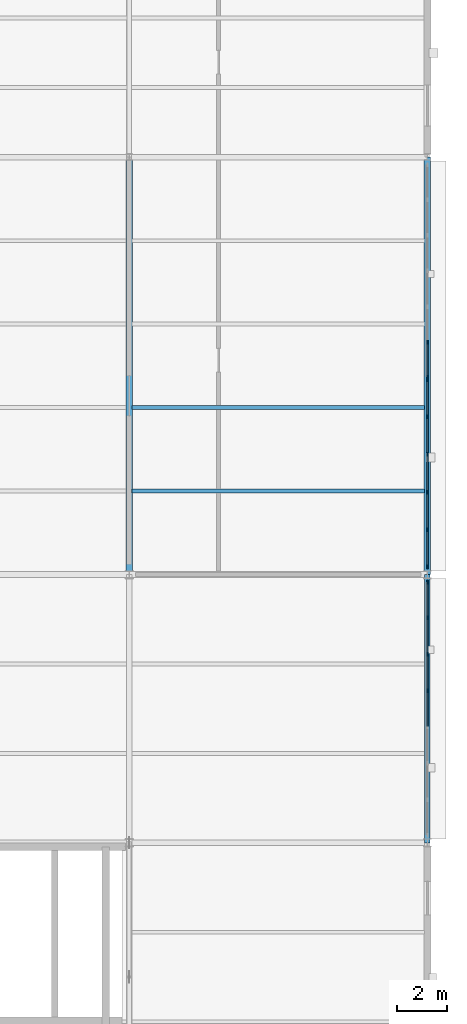
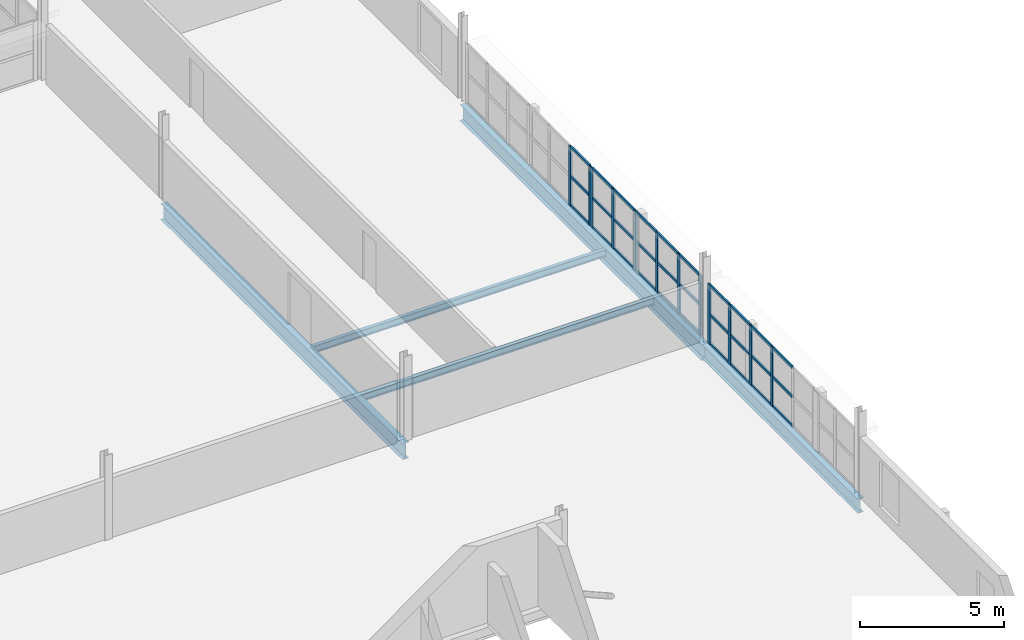
# One storey, part 40 of 79: 42 members, 5 beams, 3 elements without a shape of their own.
"""IFC4 building model written with IfcOpenShell, lengths in metres."""

from ifc_helpers import new_model, si_unit, direction, frame, origin, origin_2d, place, context, subcontext, project, spatial, rectangle, i_section, extrude, material, layer, layer_set, material_profile, profile_set, type_object, element, aggregate, save


model = new_model("IFC4")

# Units and contexts
model_context = context("Model", 3, precision=1e-05, world=origin(), true_north=direction((0.0, 1.0)))
body_context = subcontext(model_context, "Body", "Model", "MODEL_VIEW")
ifc_project = project(units=[si_unit("LENGTHUNIT", "METRE"), si_unit("AREAUNIT", "SQUARE_METRE"), si_unit("VOLUMEUNIT", "CUBIC_METRE"), si_unit("PLANEANGLEUNIT", "RADIAN"), si_unit("MASSUNIT", "GRAM", prefix="KILO"), si_unit("THERMODYNAMICTEMPERATUREUNIT", "KELVIN"), si_unit("POWERUNIT", "WATT")], contexts=[model_context])

# Site, building, storey
site_placement = place(None, origin())
site = spatial("IfcSite", under=ifc_project, at=site_placement, CompositionType="ELEMENT")
building_placement = place(site_placement, origin())
building = spatial("IfcBuilding", under=site, at=building_placement, Name="Tembeka Court Mobility Hub", CompositionType="ELEMENT")
storey_placement = place(building_placement, frame((0.0, 0.0, 9.0)))
storey = spatial("IfcBuildingStorey", under=building, at=storey_placement, Name="L02", CompositionType="ELEMENT", Elevation=9.0)

# Beams
ifc_material_1 = material(Name="Steel S355", Category="steel")
ifc_material_profile_1 = material_profile(ifc_material_1, i_section(OverallWidth=0.25390625, OverallDepth=0.68408203125, WebThickness=0.012451171875, FlangeThickness=0.01904296875, FilletRadius=0.01513671875, at=origin_2d()), Name="UKB 686x254x140")
ifc_profile_set_1 = profile_set([ifc_material_profile_1], Name="Steel S355")
beam_type_1 = type_object("IfcBeamType", Name="BM-G01", PredefinedType="USERDEFINED", material=ifc_profile_set_1)
for number, where, z_axis, x_axis, name in (
    (1, (164.39990234375, 21.60009765625, -0.531982421875), (0.0, 1.0, 0.0), (-1.0, 0.0, 0.0), "Beam G01 (BM-L02-Y1429)"),
    (2, (176.39990234375, 21.60009765625, -0.531982421875), (0.0, 1.0, 0.0), (-1.0, 0.0, 0.0), "Beam G01 (BM-L02-Y1435)"),
):
    element("IfcBeam", number, at=place(storey_placement, frame(where, z_axis=z_axis, x_axis=x_axis)), inside=storey, type_object=beam_type_1, Name=name, ObjectType="GIRDER", PredefinedType="USERDEFINED", context=body_context, shape_type="SweptSolid", body=[
        extrude(i_section(OverallWidth=0.25390625, OverallDepth=0.68408203125, WebThickness=0.012451171875, FlangeThickness=0.01904296875, FilletRadius=0.01513671875, at=origin_2d()), origin(), (0.0, 0.0, 1.0), 16.7998046875),
    ])
ifc_material_profile_2 = material_profile(ifc_material_1, i_section(OverallWidth=0.22900390625, OverallDepth=0.612060546875, WebThickness=0.011962890625, FlangeThickness=0.01953125, FilletRadius=0.0126953125, at=origin_2d()), Name="UKB 610x229x125")
ifc_profile_set_2 = profile_set([ifc_material_profile_2], Name="Steel S355")
beam_type_2 = type_object("IfcBeamType", Name="BM-G02", PredefinedType="USERDEFINED", material=ifc_profile_set_2)
beam_placement = place(storey_placement, frame((176.39990234375, 10.800048828125, -0.49609375), z_axis=(0.0, 1.0, 0.0), x_axis=(-1.0, 0.0, 0.0)))
element("IfcBeam", 3, at=beam_placement, inside=storey, type_object=beam_type_2, Name="Beam G02 (BM-L02-Y1434)", ObjectType="GIRDER", PredefinedType="USERDEFINED", context=body_context, shape_type="SweptSolid", body=[
    extrude(i_section(OverallWidth=0.22900390625, OverallDepth=0.612060546875, WebThickness=0.011962890625, FlangeThickness=0.01953125, FilletRadius=0.0126953125, at=origin_2d()), origin(), (0.0, 0.0, 1.0), 10.800048828125),
])
ifc_material_profile_3 = material_profile(ifc_material_1, i_section(OverallWidth=0.14990234375, OverallDepth=0.300048828125, WebThickness=0.007080078125, FlangeThickness=0.0107421875, FilletRadius=0.014892578125, at=origin_2d()), Name="IPE 300")
ifc_profile_set_3 = profile_set([ifc_material_profile_3], Name="Steel S355")
beam_type_3 = type_object("IfcBeamType", Name="BM-J04", PredefinedType="JOIST", material=ifc_profile_set_3)
for number, where, z_axis, x_axis, name in (
    (4, (164.52197265625, 24.9599609375, -0.340087890625), (1.0, 0.0, 0.0), (0.0, 1.0, 0.0), "Beam J04 (JST-L02-1672)"),
    (5, (164.52197265625, 28.320068359375, -0.340087890625), (1.0, 0.0, 0.0), (0.0, 1.0, 0.0), "Beam J04 (JST-L02-1673)"),
):
    element("IfcBeam", number, at=place(storey_placement, frame(where, z_axis=z_axis, x_axis=x_axis)), inside=storey, type_object=beam_type_3, Name=name, PredefinedType="JOIST", context=body_context, shape_type="SweptSolid", body=[
        extrude(i_section(OverallWidth=0.14990234375, OverallDepth=0.300048828125, WebThickness=0.007080078125, FlangeThickness=0.0107421875, FilletRadius=0.014892578125, at=origin_2d()), origin(), (0.0, 0.0, 1.0), 11.756103515625),
    ])

# Curtain wall, members
ifc_material_2 = material(Name="Anodised aluminium 6063-T6", Category="aluminium")
ifc_layer_1 = layer(ifc_material_2, 0.159912109375)
ifc_layer_set_1 = layer_set([ifc_layer_1], Name="Anodised aluminium 6063-T6")
curtain_wall_type_1 = type_object("IfcCurtainWallType", Name="CW-SYS42", PredefinedType="USERDEFINED", material=ifc_layer_set_1)
curtain_wall_1_placement = place(storey_placement, origin())
curtain_wall_1 = element("IfcCurtainWall", 6, at=curtain_wall_1_placement, inside=storey, type_object=curtain_wall_type_1, Name="Unitised curtain wall CW42 (CW-L02-123)", ObjectType="UNITISED GLAZING", PredefinedType="USERDEFINED")
ifc_material_profile_4 = material_profile(ifc_material_2, rectangle(XDim=0.06494140625, YDim=0.159912109375, at=origin_2d()), Name="ALU-MUL 65x160")
ifc_profile_set_4 = profile_set([ifc_material_profile_4], Name="Anodised aluminium 6063-T6")
member_type_1 = type_object("IfcMemberType", Name="CW-MUL01", PredefinedType="MULLION", material=ifc_profile_set_4)
member_1_placement = place(storey_placement, frame((176.39990234375, 16.931396484375, 0.0), z_axis=(0.0, 0.0, 1.0), x_axis=(-1.0, 0.0, 0.0)))
member_1 = element("IfcMember", 7, at=member_1_placement, type_object=member_type_1, Name="CW42 mullion 5", PredefinedType="MULLION", context=body_context, shape_type="SweptSolid", body=[
    extrude(rectangle(XDim=0.06494140625, YDim=0.159912109375, at=origin_2d()), origin(), (0.0, 0.0, 1.0), 2.534912109375),
])
member_2_placement = place(storey_placement, frame((176.39990234375, 18.394287109375, 0.0), z_axis=(0.0, 0.0, 1.0), x_axis=(-1.0, 0.0, 0.0)))
member_2 = element("IfcMember", 8, at=member_2_placement, type_object=member_type_1, Name="CW42 mullion 6", PredefinedType="MULLION", context=body_context, shape_type="SweptSolid", body=[
    extrude(rectangle(XDim=0.06494140625, YDim=0.159912109375, at=origin_2d()), origin(), (0.0, 0.0, 1.0), 2.534912109375),
])
member_3_placement = place(storey_placement, frame((176.39990234375, 19.857177734375, 0.0), z_axis=(0.0, 0.0, 1.0), x_axis=(-1.0, 0.0, 0.0)))
member_3 = element("IfcMember", 9, at=member_3_placement, type_object=member_type_1, Name="CW42 mullion 7", PredefinedType="MULLION", context=body_context, shape_type="SweptSolid", body=[
    extrude(rectangle(XDim=0.06494140625, YDim=0.159912109375, at=origin_2d()), origin(), (0.0, 0.0, 1.0), 2.534912109375),
])
member_4_placement = place(storey_placement, frame((176.39990234375, 21.28759765625, 0.0), z_axis=(0.0, 0.0, 1.0), x_axis=(-1.0, 0.0, 0.0)))
member_4 = element("IfcMember", 10, at=member_4_placement, type_object=member_type_1, Name="CW42 mullion 8", PredefinedType="MULLION", context=body_context, shape_type="SweptSolid", body=[
    extrude(rectangle(XDim=0.06494140625, YDim=0.159912109375, at=origin_2d()), origin(), (0.0, 0.0, 1.0), 2.534912109375),
])

ifc_layer_2 = layer(ifc_material_2, 0.159912109375)
ifc_layer_set_2 = layer_set([ifc_layer_2], Name="Anodised aluminium 6063-T6")
curtain_wall_type_2 = type_object("IfcCurtainWallType", Name="CW-SYS51", PredefinedType="USERDEFINED", material=ifc_layer_set_2)
curtain_wall_2_placement = place(storey_placement, origin())
curtain_wall_2 = element("IfcCurtainWall", 11, at=curtain_wall_2_placement, inside=storey, type_object=curtain_wall_type_2, Name="Unitised curtain wall CW51 (CW-L02-124)", ObjectType="UNITISED GLAZING", PredefinedType="USERDEFINED")
member_5_placement = place(storey_placement, frame((176.39990234375, 21.91259765625, 0.0), z_axis=(0.0, 0.0, 1.0), x_axis=(-1.0, 0.0, 0.0)))
member_5 = element("IfcMember", 12, at=member_5_placement, type_object=member_type_1, Name="CW51 mullion 1", PredefinedType="MULLION", context=body_context, shape_type="SweptSolid", body=[
    extrude(rectangle(XDim=0.06494140625, YDim=0.159912109375, at=origin_2d()), origin(), (0.0, 0.0, 1.0), 2.534912109375),
])
member_6_placement = place(storey_placement, frame((176.39990234375, 23.399169921875, 0.0), z_axis=(0.0, 0.0, 1.0), x_axis=(-1.0, 0.0, 0.0)))
member_6 = element("IfcMember", 13, at=member_6_placement, type_object=member_type_1, Name="CW51 mullion 2", PredefinedType="MULLION", context=body_context, shape_type="SweptSolid", body=[
    extrude(rectangle(XDim=0.06494140625, YDim=0.159912109375, at=origin_2d()), origin(), (0.0, 0.0, 1.0), 2.534912109375),
])
member_7_placement = place(storey_placement, frame((176.39990234375, 24.91845703125, 0.0), z_axis=(0.0, 0.0, 1.0), x_axis=(-1.0, 0.0, 0.0)))
member_7 = element("IfcMember", 14, at=member_7_placement, type_object=member_type_1, Name="CW51 mullion 3", PredefinedType="MULLION", context=body_context, shape_type="SweptSolid", body=[
    extrude(rectangle(XDim=0.06494140625, YDim=0.159912109375, at=origin_2d()), origin(), (0.0, 0.0, 1.0), 2.534912109375),
])
member_8_placement = place(storey_placement, frame((176.39990234375, 26.4375, 0.0), z_axis=(0.0, 0.0, 1.0), x_axis=(-1.0, 0.0, 0.0)))
member_8 = element("IfcMember", 15, at=member_8_placement, type_object=member_type_1, Name="CW51 mullion 4", PredefinedType="MULLION", context=body_context, shape_type="SweptSolid", body=[
    extrude(rectangle(XDim=0.06494140625, YDim=0.159912109375, at=origin_2d()), origin(), (0.0, 0.0, 1.0), 2.534912109375),
])
member_9_placement = place(storey_placement, frame((176.39990234375, 27.956787109375, 0.0), z_axis=(0.0, 0.0, 1.0), x_axis=(-1.0, 0.0, 0.0)))
member_9 = element("IfcMember", 16, at=member_9_placement, type_object=member_type_1, Name="CW51 mullion 5", PredefinedType="MULLION", context=body_context, shape_type="SweptSolid", body=[
    extrude(rectangle(XDim=0.06494140625, YDim=0.159912109375, at=origin_2d()), origin(), (0.0, 0.0, 1.0), 2.534912109375),
])
member_10_placement = place(storey_placement, frame((176.39990234375, 29.443603515625, 0.0), z_axis=(0.0, 0.0, 1.0), x_axis=(-1.0, 0.0, 0.0)))
member_10 = element("IfcMember", 17, at=member_10_placement, type_object=member_type_1, Name="CW51 mullion 6", PredefinedType="MULLION", context=body_context, shape_type="SweptSolid", body=[
    extrude(rectangle(XDim=0.06494140625, YDim=0.159912109375, at=origin_2d()), origin(), (0.0, 0.0, 1.0), 2.534912109375),
])

ifc_layer_3 = layer(ifc_material_2, 0.159912109375)
ifc_layer_set_3 = layer_set([ifc_layer_3], Name="Anodised aluminium 6063-T6")
curtain_wall_type_3 = type_object("IfcCurtainWallType", Name="CW-SYS52", PredefinedType="USERDEFINED", material=ifc_layer_set_3)
curtain_wall_3_placement = place(storey_placement, origin())
curtain_wall_3 = element("IfcCurtainWall", 18, at=curtain_wall_3_placement, inside=storey, type_object=curtain_wall_type_3, Name="Unitised curtain wall CW52 (CW-L02-125)", ObjectType="UNITISED GLAZING", PredefinedType="USERDEFINED")
member_11_placement = place(storey_placement, frame((176.39990234375, 29.548583984375, 0.0), z_axis=(0.0, 0.0, 1.0), x_axis=(-1.0, 0.0, 0.0)))
member_11 = element("IfcMember", 19, at=member_11_placement, type_object=member_type_1, Name="CW52 mullion 1", PredefinedType="MULLION", context=body_context, shape_type="SweptSolid", body=[
    extrude(rectangle(XDim=0.06494140625, YDim=0.159912109375, at=origin_2d()), origin(), (0.0, 0.0, 1.0), 2.534912109375),
])
member_12_placement = place(storey_placement, frame((176.39990234375, 30.949951171875, 0.0), z_axis=(0.0, 0.0, 1.0), x_axis=(-1.0, 0.0, 0.0)))
member_12 = element("IfcMember", 20, at=member_12_placement, type_object=member_type_1, Name="CW52 mullion 2", PredefinedType="MULLION", context=body_context, shape_type="SweptSolid", body=[
    extrude(rectangle(XDim=0.06494140625, YDim=0.159912109375, at=origin_2d()), origin(), (0.0, 0.0, 1.0), 2.534912109375),
])

# Member
ifc_material_profile_5 = material_profile(ifc_material_2, rectangle(XDim=0.06494140625, YDim=0.1201171875, at=origin_2d()), Name="ALU-TRN 65x120")
ifc_profile_set_5 = profile_set([ifc_material_profile_5], Name="Anodised aluminium 6063-T6")
member_type_2 = type_object("IfcMemberType", Name="CW-TRN01", PredefinedType="USERDEFINED", material=ifc_profile_set_5)
member_13_placement = place(storey_placement, frame((176.39990234375, 15.5009765625, 0.032470703125), z_axis=(0.0, 1.0, 0.0), x_axis=(-1.0, 0.0, 0.0)))
member_13 = element("IfcMember", 21, at=member_13_placement, type_object=member_type_2, Name="CW42 transom 4.1", ObjectType="TRANSOM", PredefinedType="USERDEFINED", context=body_context, shape_type="SweptSolid", body=[
    extrude(rectangle(XDim=0.06494140625, YDim=0.1201171875, at=origin_2d()), origin(), (0.0, 0.0, 1.0), 1.39794921875),
])

member_14_placement = place(storey_placement, frame((176.39990234375, 15.5009765625, 1.267578125), z_axis=(0.0, 1.0, 0.0), x_axis=(-1.0, 0.0, 0.0)))
member_14 = element("IfcMember", 22, at=member_14_placement, type_object=member_type_2, Name="CW42 transom 4.2", ObjectType="TRANSOM", PredefinedType="USERDEFINED", context=body_context, shape_type="SweptSolid", body=[
    extrude(rectangle(XDim=0.06494140625, YDim=0.1201171875, at=origin_2d()), origin(), (0.0, 0.0, 1.0), 1.39794921875),
])

member_15_placement = place(storey_placement, frame((176.39990234375, 15.5009765625, 2.50244140625), z_axis=(0.0, 1.0, 0.0), x_axis=(-1.0, 0.0, 0.0)))
member_15 = element("IfcMember", 23, at=member_15_placement, type_object=member_type_2, Name="CW42 transom 4.3", ObjectType="TRANSOM", PredefinedType="USERDEFINED", context=body_context, shape_type="SweptSolid", body=[
    extrude(rectangle(XDim=0.06494140625, YDim=0.1201171875, at=origin_2d()), origin(), (0.0, 0.0, 1.0), 1.39794921875),
])

member_16_placement = place(storey_placement, frame((176.39990234375, 16.9638671875, 0.032470703125), z_axis=(0.0, 1.0, 0.0), x_axis=(-1.0, 0.0, 0.0)))
member_16 = element("IfcMember", 24, at=member_16_placement, type_object=member_type_2, Name="CW42 transom 5.1", ObjectType="TRANSOM", PredefinedType="USERDEFINED", context=body_context, shape_type="SweptSolid", body=[
    extrude(rectangle(XDim=0.06494140625, YDim=0.1201171875, at=origin_2d()), origin(), (0.0, 0.0, 1.0), 1.39794921875),
])

member_17_placement = place(storey_placement, frame((176.39990234375, 16.9638671875, 1.267578125), z_axis=(0.0, 1.0, 0.0), x_axis=(-1.0, 0.0, 0.0)))
member_17 = element("IfcMember", 25, at=member_17_placement, type_object=member_type_2, Name="CW42 transom 5.2", ObjectType="TRANSOM", PredefinedType="USERDEFINED", context=body_context, shape_type="SweptSolid", body=[
    extrude(rectangle(XDim=0.06494140625, YDim=0.1201171875, at=origin_2d()), origin(), (0.0, 0.0, 1.0), 1.39794921875),
])

member_18_placement = place(storey_placement, frame((176.39990234375, 16.9638671875, 2.50244140625), z_axis=(0.0, 1.0, 0.0), x_axis=(-1.0, 0.0, 0.0)))
member_18 = element("IfcMember", 26, at=member_18_placement, type_object=member_type_2, Name="CW42 transom 5.3", ObjectType="TRANSOM", PredefinedType="USERDEFINED", context=body_context, shape_type="SweptSolid", body=[
    extrude(rectangle(XDim=0.06494140625, YDim=0.1201171875, at=origin_2d()), origin(), (0.0, 0.0, 1.0), 1.39794921875),
])

member_19_placement = place(storey_placement, frame((176.39990234375, 18.4267578125, 0.032470703125), z_axis=(0.0, 1.0, 0.0), x_axis=(-1.0, 0.0, 0.0)))
member_19 = element("IfcMember", 27, at=member_19_placement, type_object=member_type_2, Name="CW42 transom 6.1", ObjectType="TRANSOM", PredefinedType="USERDEFINED", context=body_context, shape_type="SweptSolid", body=[
    extrude(rectangle(XDim=0.06494140625, YDim=0.1201171875, at=origin_2d()), origin(), (0.0, 0.0, 1.0), 1.39794921875),
])

member_20_placement = place(storey_placement, frame((176.39990234375, 18.4267578125, 1.267578125), z_axis=(0.0, 1.0, 0.0), x_axis=(-1.0, 0.0, 0.0)))
member_20 = element("IfcMember", 28, at=member_20_placement, type_object=member_type_2, Name="CW42 transom 6.2", ObjectType="TRANSOM", PredefinedType="USERDEFINED", context=body_context, shape_type="SweptSolid", body=[
    extrude(rectangle(XDim=0.06494140625, YDim=0.1201171875, at=origin_2d()), origin(), (0.0, 0.0, 1.0), 1.39794921875),
])

member_21_placement = place(storey_placement, frame((176.39990234375, 18.4267578125, 2.50244140625), z_axis=(0.0, 1.0, 0.0), x_axis=(-1.0, 0.0, 0.0)))
member_21 = element("IfcMember", 29, at=member_21_placement, type_object=member_type_2, Name="CW42 transom 6.3", ObjectType="TRANSOM", PredefinedType="USERDEFINED", context=body_context, shape_type="SweptSolid", body=[
    extrude(rectangle(XDim=0.06494140625, YDim=0.1201171875, at=origin_2d()), origin(), (0.0, 0.0, 1.0), 1.39794921875),
])

member_22_placement = place(storey_placement, frame((176.39990234375, 19.8896484375, 0.032470703125), z_axis=(0.0, 1.0, 0.0), x_axis=(-1.0, 0.0, 0.0)))
member_22 = element("IfcMember", 30, at=member_22_placement, type_object=member_type_2, Name="CW42 transom 7.1", ObjectType="TRANSOM", PredefinedType="USERDEFINED", context=body_context, shape_type="SweptSolid", body=[
    extrude(rectangle(XDim=0.06494140625, YDim=0.1201171875, at=origin_2d()), origin(), (0.0, 0.0, 1.0), 1.365234375),
])

member_23_placement = place(storey_placement, frame((176.39990234375, 19.8896484375, 1.267578125), z_axis=(0.0, 1.0, 0.0), x_axis=(-1.0, 0.0, 0.0)))
member_23 = element("IfcMember", 31, at=member_23_placement, type_object=member_type_2, Name="CW42 transom 7.2", ObjectType="TRANSOM", PredefinedType="USERDEFINED", context=body_context, shape_type="SweptSolid", body=[
    extrude(rectangle(XDim=0.06494140625, YDim=0.1201171875, at=origin_2d()), origin(), (0.0, 0.0, 1.0), 1.365234375),
])

member_24_placement = place(storey_placement, frame((176.39990234375, 19.8896484375, 2.50244140625), z_axis=(0.0, 1.0, 0.0), x_axis=(-1.0, 0.0, 0.0)))
member_24 = element("IfcMember", 32, at=member_24_placement, type_object=member_type_2, Name="CW42 transom 7.3", ObjectType="TRANSOM", PredefinedType="USERDEFINED", context=body_context, shape_type="SweptSolid", body=[
    extrude(rectangle(XDim=0.06494140625, YDim=0.1201171875, at=origin_2d()), origin(), (0.0, 0.0, 1.0), 1.365234375),
])

aggregate(curtain_wall_1, [member_1, member_2, member_3, member_4, member_13, member_14, member_15, member_16, member_17, member_18, member_19, member_20, member_21, member_22, member_23, member_24])

member_25_placement = place(storey_placement, frame((176.39990234375, 21.945068359375, 0.032470703125), z_axis=(0.0, 1.0, 0.0), x_axis=(-1.0, 0.0, 0.0)))
member_25 = element("IfcMember", 33, at=member_25_placement, type_object=member_type_2, Name="CW51 transom 1.1", ObjectType="TRANSOM", PredefinedType="USERDEFINED", context=body_context, shape_type="SweptSolid", body=[
    extrude(rectangle(XDim=0.06494140625, YDim=0.1201171875, at=origin_2d()), origin(), (0.0, 0.0, 1.0), 1.421630859375),
])

member_26_placement = place(storey_placement, frame((176.39990234375, 21.945068359375, 1.267578125), z_axis=(0.0, 1.0, 0.0), x_axis=(-1.0, 0.0, 0.0)))
member_26 = element("IfcMember", 34, at=member_26_placement, type_object=member_type_2, Name="CW51 transom 1.2", ObjectType="TRANSOM", PredefinedType="USERDEFINED", context=body_context, shape_type="SweptSolid", body=[
    extrude(rectangle(XDim=0.06494140625, YDim=0.1201171875, at=origin_2d()), origin(), (0.0, 0.0, 1.0), 1.421630859375),
])

member_27_placement = place(storey_placement, frame((176.39990234375, 21.945068359375, 2.50244140625), z_axis=(0.0, 1.0, 0.0), x_axis=(-1.0, 0.0, 0.0)))
member_27 = element("IfcMember", 35, at=member_27_placement, type_object=member_type_2, Name="CW51 transom 1.3", ObjectType="TRANSOM", PredefinedType="USERDEFINED", context=body_context, shape_type="SweptSolid", body=[
    extrude(rectangle(XDim=0.06494140625, YDim=0.1201171875, at=origin_2d()), origin(), (0.0, 0.0, 1.0), 1.421630859375),
])

member_28_placement = place(storey_placement, frame((176.39990234375, 23.431640625, 0.032470703125), z_axis=(0.0, 1.0, 0.0), x_axis=(-1.0, 0.0, 0.0)))
member_28 = element("IfcMember", 36, at=member_28_placement, type_object=member_type_2, Name="CW51 transom 2.1", ObjectType="TRANSOM", PredefinedType="USERDEFINED", context=body_context, shape_type="SweptSolid", body=[
    extrude(rectangle(XDim=0.06494140625, YDim=0.1201171875, at=origin_2d()), origin(), (0.0, 0.0, 1.0), 1.454345703125),
])

member_29_placement = place(storey_placement, frame((176.39990234375, 23.431640625, 1.267578125), z_axis=(0.0, 1.0, 0.0), x_axis=(-1.0, 0.0, 0.0)))
member_29 = element("IfcMember", 37, at=member_29_placement, type_object=member_type_2, Name="CW51 transom 2.2", ObjectType="TRANSOM", PredefinedType="USERDEFINED", context=body_context, shape_type="SweptSolid", body=[
    extrude(rectangle(XDim=0.06494140625, YDim=0.1201171875, at=origin_2d()), origin(), (0.0, 0.0, 1.0), 1.454345703125),
])

member_30_placement = place(storey_placement, frame((176.39990234375, 23.431640625, 2.50244140625), z_axis=(0.0, 1.0, 0.0), x_axis=(-1.0, 0.0, 0.0)))
member_30 = element("IfcMember", 38, at=member_30_placement, type_object=member_type_2, Name="CW51 transom 2.3", ObjectType="TRANSOM", PredefinedType="USERDEFINED", context=body_context, shape_type="SweptSolid", body=[
    extrude(rectangle(XDim=0.06494140625, YDim=0.1201171875, at=origin_2d()), origin(), (0.0, 0.0, 1.0), 1.454345703125),
])

member_31_placement = place(storey_placement, frame((176.39990234375, 24.950927734375, 0.032470703125), z_axis=(0.0, 1.0, 0.0), x_axis=(-1.0, 0.0, 0.0)))
member_31 = element("IfcMember", 39, at=member_31_placement, type_object=member_type_2, Name="CW51 transom 3.1", ObjectType="TRANSOM", PredefinedType="USERDEFINED", context=body_context, shape_type="SweptSolid", body=[
    extrude(rectangle(XDim=0.06494140625, YDim=0.1201171875, at=origin_2d()), origin(), (0.0, 0.0, 1.0), 1.4541015625),
])

member_32_placement = place(storey_placement, frame((176.39990234375, 24.950927734375, 1.267578125), z_axis=(0.0, 1.0, 0.0), x_axis=(-1.0, 0.0, 0.0)))
member_32 = element("IfcMember", 40, at=member_32_placement, type_object=member_type_2, Name="CW51 transom 3.2", ObjectType="TRANSOM", PredefinedType="USERDEFINED", context=body_context, shape_type="SweptSolid", body=[
    extrude(rectangle(XDim=0.06494140625, YDim=0.1201171875, at=origin_2d()), origin(), (0.0, 0.0, 1.0), 1.4541015625),
])

member_33_placement = place(storey_placement, frame((176.39990234375, 24.950927734375, 2.50244140625), z_axis=(0.0, 1.0, 0.0), x_axis=(-1.0, 0.0, 0.0)))
member_33 = element("IfcMember", 41, at=member_33_placement, type_object=member_type_2, Name="CW51 transom 3.3", ObjectType="TRANSOM", PredefinedType="USERDEFINED", context=body_context, shape_type="SweptSolid", body=[
    extrude(rectangle(XDim=0.06494140625, YDim=0.1201171875, at=origin_2d()), origin(), (0.0, 0.0, 1.0), 1.4541015625),
])

member_34_placement = place(storey_placement, frame((176.39990234375, 26.47021484375, 0.032470703125), z_axis=(0.0, 1.0, 0.0), x_axis=(-1.0, 0.0, 0.0)))
member_34 = element("IfcMember", 42, at=member_34_placement, type_object=member_type_2, Name="CW51 transom 4.1", ObjectType="TRANSOM", PredefinedType="USERDEFINED", context=body_context, shape_type="SweptSolid", body=[
    extrude(rectangle(XDim=0.06494140625, YDim=0.1201171875, at=origin_2d()), origin(), (0.0, 0.0, 1.0), 1.4541015625),
])

member_35_placement = place(storey_placement, frame((176.39990234375, 26.47021484375, 1.267578125), z_axis=(0.0, 1.0, 0.0), x_axis=(-1.0, 0.0, 0.0)))
member_35 = element("IfcMember", 43, at=member_35_placement, type_object=member_type_2, Name="CW51 transom 4.2", ObjectType="TRANSOM", PredefinedType="USERDEFINED", context=body_context, shape_type="SweptSolid", body=[
    extrude(rectangle(XDim=0.06494140625, YDim=0.1201171875, at=origin_2d()), origin(), (0.0, 0.0, 1.0), 1.4541015625),
])

member_36_placement = place(storey_placement, frame((176.39990234375, 26.47021484375, 2.50244140625), z_axis=(0.0, 1.0, 0.0), x_axis=(-1.0, 0.0, 0.0)))
member_36 = element("IfcMember", 44, at=member_36_placement, type_object=member_type_2, Name="CW51 transom 4.3", ObjectType="TRANSOM", PredefinedType="USERDEFINED", context=body_context, shape_type="SweptSolid", body=[
    extrude(rectangle(XDim=0.06494140625, YDim=0.1201171875, at=origin_2d()), origin(), (0.0, 0.0, 1.0), 1.4541015625),
])

member_37_placement = place(storey_placement, frame((176.39990234375, 27.9892578125, 0.032470703125), z_axis=(0.0, 1.0, 0.0), x_axis=(-1.0, 0.0, 0.0)))
member_37 = element("IfcMember", 45, at=member_37_placement, type_object=member_type_2, Name="CW51 transom 5.1", ObjectType="TRANSOM", PredefinedType="USERDEFINED", context=body_context, shape_type="SweptSolid", body=[
    extrude(rectangle(XDim=0.06494140625, YDim=0.1201171875, at=origin_2d()), origin(), (0.0, 0.0, 1.0), 1.421630859375),
])

member_38_placement = place(storey_placement, frame((176.39990234375, 27.9892578125, 1.267578125), z_axis=(0.0, 1.0, 0.0), x_axis=(-1.0, 0.0, 0.0)))
member_38 = element("IfcMember", 46, at=member_38_placement, type_object=member_type_2, Name="CW51 transom 5.2", ObjectType="TRANSOM", PredefinedType="USERDEFINED", context=body_context, shape_type="SweptSolid", body=[
    extrude(rectangle(XDim=0.06494140625, YDim=0.1201171875, at=origin_2d()), origin(), (0.0, 0.0, 1.0), 1.421630859375),
])

member_39_placement = place(storey_placement, frame((176.39990234375, 27.9892578125, 2.50244140625), z_axis=(0.0, 1.0, 0.0), x_axis=(-1.0, 0.0, 0.0)))
member_39 = element("IfcMember", 47, at=member_39_placement, type_object=member_type_2, Name="CW51 transom 5.3", ObjectType="TRANSOM", PredefinedType="USERDEFINED", context=body_context, shape_type="SweptSolid", body=[
    extrude(rectangle(XDim=0.06494140625, YDim=0.1201171875, at=origin_2d()), origin(), (0.0, 0.0, 1.0), 1.421630859375),
])

aggregate(curtain_wall_2, [member_5, member_6, member_7, member_8, member_9, member_10, member_25, member_26, member_27, member_28, member_29, member_30, member_31, member_32, member_33, member_34, member_35, member_36, member_37, member_38, member_39])

member_40_placement = place(storey_placement, frame((176.39990234375, 29.5810546875, 0.032470703125), z_axis=(0.0, 1.0, 0.0), x_axis=(-1.0, 0.0, 0.0)))
member_40 = element("IfcMember", 48, at=member_40_placement, type_object=member_type_2, Name="CW52 transom 1.1", ObjectType="TRANSOM", PredefinedType="USERDEFINED", context=body_context, shape_type="SweptSolid", body=[
    extrude(rectangle(XDim=0.06494140625, YDim=0.1201171875, at=origin_2d()), origin(), (0.0, 0.0, 1.0), 1.33642578125),
])

member_41_placement = place(storey_placement, frame((176.39990234375, 29.5810546875, 1.267578125), z_axis=(0.0, 1.0, 0.0), x_axis=(-1.0, 0.0, 0.0)))
member_41 = element("IfcMember", 49, at=member_41_placement, type_object=member_type_2, Name="CW52 transom 1.2", ObjectType="TRANSOM", PredefinedType="USERDEFINED", context=body_context, shape_type="SweptSolid", body=[
    extrude(rectangle(XDim=0.06494140625, YDim=0.1201171875, at=origin_2d()), origin(), (0.0, 0.0, 1.0), 1.33642578125),
])

member_42_placement = place(storey_placement, frame((176.39990234375, 29.5810546875, 2.50244140625), z_axis=(0.0, 1.0, 0.0), x_axis=(-1.0, 0.0, 0.0)))
member_42 = element("IfcMember", 50, at=member_42_placement, type_object=member_type_2, Name="CW52 transom 1.3", ObjectType="TRANSOM", PredefinedType="USERDEFINED", context=body_context, shape_type="SweptSolid", body=[
    extrude(rectangle(XDim=0.06494140625, YDim=0.1201171875, at=origin_2d()), origin(), (0.0, 0.0, 1.0), 1.33642578125),
])

aggregate(curtain_wall_3, [member_11, member_12, member_40, member_41, member_42])

save(model, "model.ifc")
